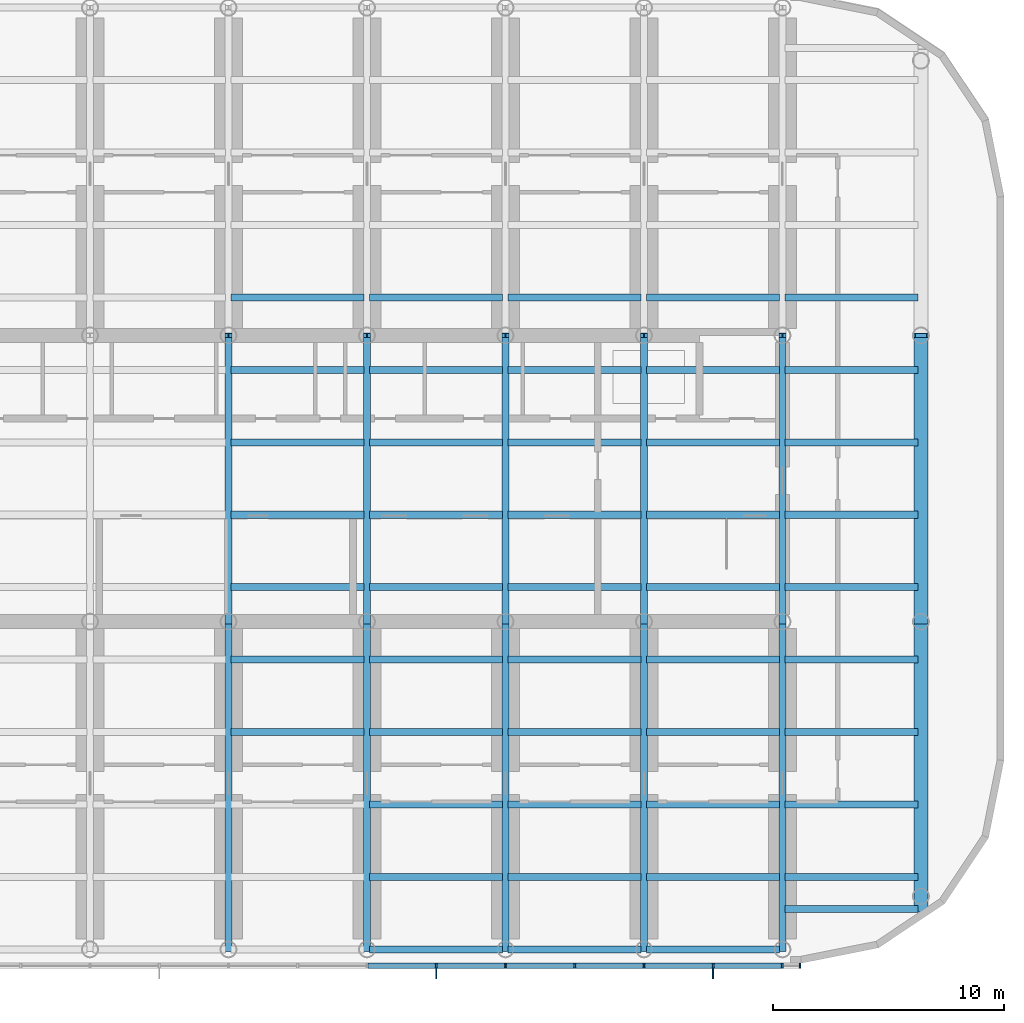
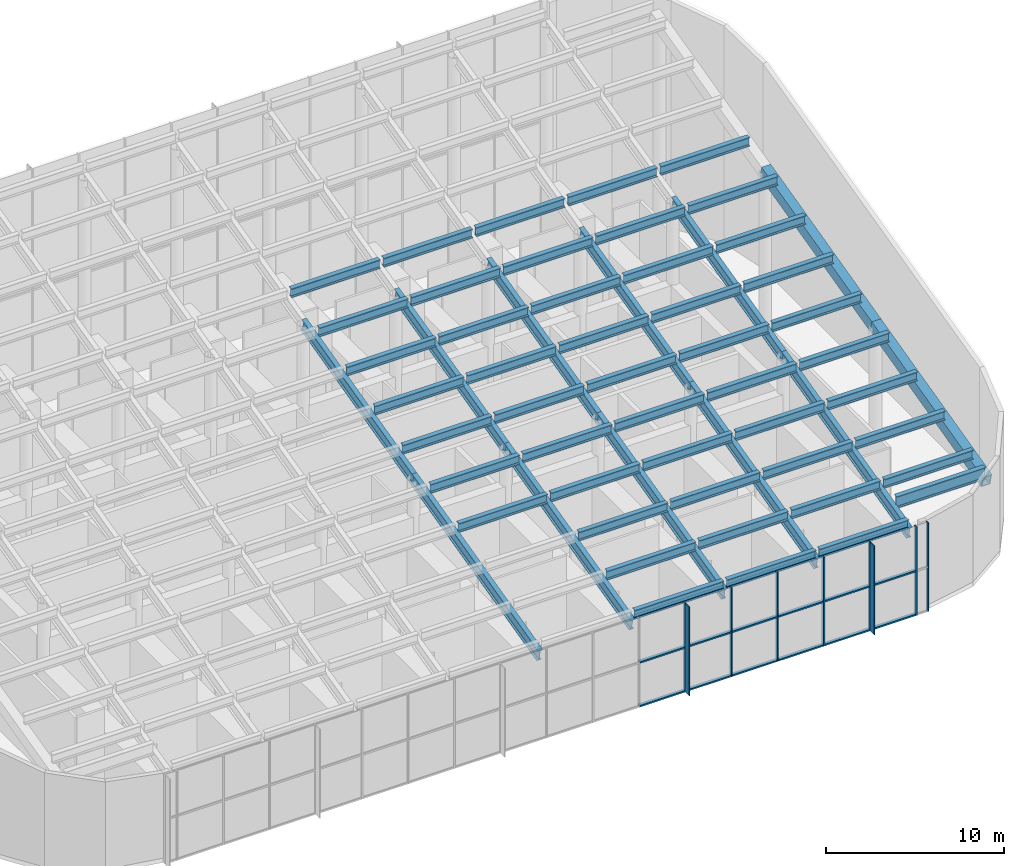
# One storey, part 3 of 14: 80 members, 1 element without a shape of its own.
"""IFC4 building model written with IfcOpenShell, lengths in metres."""

from ifc_helpers import new_model, si_unit, direction, frame, origin, origin_2d, place, context, subcontext, project, spatial, rectangle, hollow_rectangle, i_section, extrude, material, material_profile, profile_set, type_object, element, aggregate, save


model = new_model("IFC4")

# Units and contexts
model_context = context("Model", 3, precision=1e-05, world=origin(), true_north=direction((0.0, 1.0)))
body_context = subcontext(model_context, "Body", "Model", "MODEL_VIEW")
ifc_project = project(units=[si_unit("LENGTHUNIT", "METRE"), si_unit("AREAUNIT", "SQUARE_METRE"), si_unit("VOLUMEUNIT", "CUBIC_METRE"), si_unit("PLANEANGLEUNIT", "RADIAN"), si_unit("MASSUNIT", "GRAM", prefix="KILO")], contexts=[model_context])

# Site, building, storey
site_placement = place(None, origin())
site = spatial("IfcSite", under=ifc_project, at=site_placement, CompositionType="ELEMENT")
building_placement = place(site_placement, origin())
building = spatial("IfcBuilding", under=site, at=building_placement, Name="Orbita Commons", CompositionType="ELEMENT")
storey_placement = place(building_placement, frame((0.0, 0.0, 262.300048828125)))
storey = spatial("IfcBuildingStorey", under=building, at=storey_placement, Name="L65", CompositionType="ELEMENT", Elevation=262.300048828125)

# Members
ifc_material_1 = material(Name="Steel ASTM A572 Gr 50 welded plate", Category="steel")
ifc_material_profile_1 = material_profile(ifc_material_1, hollow_rectangle(XDim=0.60009765625, YDim=0.800048828125, WallThickness=0.06005859375, at=origin_2d()), Name="BOX 800x600x60")
ifc_profile_set_1 = profile_set([ifc_material_profile_1], Name="Steel ASTM A572 Gr 50 welded plate")
member_type_1 = type_object("IfcMemberType", Name="Crown end rafter BOX 800x600x60", PredefinedType="RAFTER", material=ifc_profile_set_1)
member_1_placement = place(storey_placement, frame((72.0, 13.315185546875, 5.31982421875), z_axis=(0.0, 0.970296329372, 0.2419194767), x_axis=(-1.0, 0.0, 0.0)))
element("IfcMember", 1, at=member_1_placement, inside=storey, type_object=member_type_1, Name="Crown rafter line 13 span 1", PredefinedType="RAFTER", context=body_context, shape_type="SweptSolid", body=[
    extrude(hollow_rectangle(XDim=0.60009765625, YDim=0.800048828125, WallThickness=0.06005859375, at=origin_2d()), origin(), (0.0, 0.0, 1.0), 12.866943359375),
])
member_2_placement = place(storey_placement, frame((72.0, 25.800048828125, 8.4326171875), z_axis=(0.0, 0.970292897742, 0.241933239949), x_axis=(-1.0, 0.0, 0.0)))
element("IfcMember", 2, at=member_2_placement, inside=storey, type_object=member_type_1, Name="Crown rafter line 13 span 2", PredefinedType="RAFTER", context=body_context, shape_type="SweptSolid", body=[
    extrude(hollow_rectangle(XDim=0.60009765625, YDim=0.800048828125, WallThickness=0.06005859375, at=origin_2d()), origin(), (0.0, 0.0, 1.0), 12.779541015625),
])
ifc_material_2 = material(Name="Steel ASTM A992", Category="steel")
ifc_material_profile_2 = material_profile(ifc_material_2, i_section(OverallWidth=0.304931640625, OverallDepth=0.6201171875, WebThickness=0.02099609375, FlangeThickness=0.0400390625, FilletRadius=0.027099609375, at=origin_2d()), Name="HEM 600")
ifc_profile_set_2 = profile_set([ifc_material_profile_2], Name="Steel ASTM A992")
member_type_2 = type_object("IfcMemberType", Name="Crown purlin HEM 600", PredefinedType="PURLIN", material=ifc_profile_set_2)
for number, where, z_axis, x_axis, name in (
    (3, (48.1201171875, 11.60009765625, 5.595458984375), (1.0, 0.0, 0.0), (0.0, 1.0, 0.0), "Crown purlin 1 9-10"),
    (4, (54.1201171875, 11.60009765625, 5.595458984375), (1.0, 0.0, 0.0), (0.0, 1.0, 0.0), "Crown purlin 1 10-11"),
    (5, (60.1201171875, 11.60009765625, 5.595458984375), (1.0, 0.0, 0.0), (0.0, 1.0, 0.0), "Crown purlin 1 11-12"),
    (6, (48.1201171875, 14.738525390625, 6.3779296875), (1.0, 0.0, 0.0), (0.0, 1.0, 0.0), "Crown purlin 2 9-10"),
    (7, (54.1201171875, 14.738525390625, 6.3779296875), (1.0, 0.0, 0.0), (0.0, 1.0, 0.0), "Crown purlin 2 10-11"),
    (8, (60.1201171875, 14.738525390625, 6.3779296875), (1.0, 0.0, 0.0), (0.0, 1.0, 0.0), "Crown purlin 2 11-12"),
    (9, (66.1201171875, 14.738525390625, 6.3779296875), (1.0, 0.0, 0.0), (0.0, 1.0, 0.0), "Crown purlin 2 12-13"),
    (10, (48.1201171875, 17.876953125, 7.160400390625), (1.0, 0.0, 0.0), (0.0, 1.0, 0.0), "Crown purlin 3 9-10"),
    (11, (54.1201171875, 17.876953125, 7.160400390625), (1.0, 0.0, 0.0), (0.0, 1.0, 0.0), "Crown purlin 3 10-11"),
    (12, (60.1201171875, 17.876953125, 7.160400390625), (1.0, 0.0, 0.0), (0.0, 1.0, 0.0), "Crown purlin 3 11-12"),
    (13, (66.1201171875, 17.876953125, 7.160400390625), (1.0, 0.0, 0.0), (0.0, 1.0, 0.0), "Crown purlin 3 12-13"),
    (14, (42.1201171875, 21.015380859375, 7.94287109375), (1.0, 0.0, 0.0), (0.0, 1.0, 0.0), "Crown purlin 4 8-9"),
    (15, (48.1201171875, 21.015380859375, 7.94287109375), (1.0, 0.0, 0.0), (0.0, 1.0, 0.0), "Crown purlin 4 9-10"),
    (16, (54.1201171875, 21.015380859375, 7.94287109375), (1.0, 0.0, 0.0), (0.0, 1.0, 0.0), "Crown purlin 4 10-11"),
    (17, (60.1201171875, 21.015380859375, 7.94287109375), (1.0, 0.0, 0.0), (0.0, 1.0, 0.0), "Crown purlin 4 11-12"),
    (18, (66.1201171875, 21.015380859375, 7.94287109375), (1.0, 0.0, 0.0), (0.0, 1.0, 0.0), "Crown purlin 4 12-13"),
    (19, (42.1201171875, 24.15380859375, 8.725341796875), (1.0, 0.0, 0.0), (0.0, 1.0, 0.0), "Crown purlin 5 8-9"),
    (20, (48.1201171875, 24.15380859375, 8.725341796875), (1.0, 0.0, 0.0), (0.0, 1.0, 0.0), "Crown purlin 5 9-10"),
    (21, (54.1201171875, 24.15380859375, 8.725341796875), (1.0, 0.0, 0.0), (0.0, 1.0, 0.0), "Crown purlin 5 10-11"),
    (22, (60.1201171875, 24.15380859375, 8.725341796875), (1.0, 0.0, 0.0), (0.0, 1.0, 0.0), "Crown purlin 5 11-12"),
    (23, (66.1201171875, 24.15380859375, 8.725341796875), (1.0, 0.0, 0.0), (0.0, 1.0, 0.0), "Crown purlin 5 12-13"),
    (24, (42.1201171875, 27.292236328125, 9.5078125), (1.0, 0.0, 0.0), (0.0, 1.0, 0.0), "Crown purlin 6 8-9"),
    (25, (48.1201171875, 27.292236328125, 9.5078125), (1.0, 0.0, 0.0), (0.0, 1.0, 0.0), "Crown purlin 6 9-10"),
    (26, (54.1201171875, 27.292236328125, 9.5078125), (1.0, 0.0, 0.0), (0.0, 1.0, 0.0), "Crown purlin 6 10-11"),
    (27, (60.1201171875, 27.292236328125, 9.5078125), (1.0, 0.0, 0.0), (0.0, 1.0, 0.0), "Crown purlin 6 11-12"),
    (28, (66.1201171875, 27.292236328125, 9.5078125), (1.0, 0.0, 0.0), (0.0, 1.0, 0.0), "Crown purlin 6 12-13"),
    (29, (42.1201171875, 30.4306640625, 10.29052734375), (1.0, 0.0, 0.0), (0.0, 1.0, 0.0), "Crown purlin 7 8-9"),
    (30, (48.1201171875, 30.4306640625, 10.29052734375), (1.0, 0.0, 0.0), (0.0, 1.0, 0.0), "Crown purlin 7 9-10"),
    (31, (54.1201171875, 30.4306640625, 10.29052734375), (1.0, 0.0, 0.0), (0.0, 1.0, 0.0), "Crown purlin 7 10-11"),
    (32, (60.1201171875, 30.4306640625, 10.29052734375), (1.0, 0.0, 0.0), (0.0, 1.0, 0.0), "Crown purlin 7 11-12"),
    (33, (66.1201171875, 30.4306640625, 10.29052734375), (1.0, 0.0, 0.0), (0.0, 1.0, 0.0), "Crown purlin 7 12-13"),
    (34, (42.1201171875, 33.5693359375, 11.072998046875), (1.0, 0.0, 0.0), (0.0, 1.0, 0.0), "Crown purlin 8 8-9"),
    (35, (48.1201171875, 33.5693359375, 11.072998046875), (1.0, 0.0, 0.0), (0.0, 1.0, 0.0), "Crown purlin 8 9-10"),
    (36, (54.1201171875, 33.5693359375, 11.072998046875), (1.0, 0.0, 0.0), (0.0, 1.0, 0.0), "Crown purlin 8 10-11"),
    (37, (60.1201171875, 33.5693359375, 11.072998046875), (1.0, 0.0, 0.0), (0.0, 1.0, 0.0), "Crown purlin 8 11-12"),
    (38, (66.1201171875, 33.5693359375, 11.072998046875), (1.0, 0.0, 0.0), (0.0, 1.0, 0.0), "Crown purlin 8 12-13"),
    (39, (42.1201171875, 36.707763671875, 11.85546875), (1.0, 0.0, 0.0), (0.0, 1.0, 0.0), "Crown purlin 9 8-9"),
    (40, (48.1201171875, 36.707763671875, 11.85546875), (1.0, 0.0, 0.0), (0.0, 1.0, 0.0), "Crown purlin 9 9-10"),
    (41, (54.1201171875, 36.707763671875, 11.85546875), (1.0, 0.0, 0.0), (0.0, 1.0, 0.0), "Crown purlin 9 10-11"),
    (42, (60.1201171875, 36.707763671875, 11.85546875), (1.0, 0.0, 0.0), (0.0, 1.0, 0.0), "Crown purlin 9 11-12"),
    (43, (66.1201171875, 36.707763671875, 11.85546875), (1.0, 0.0, 0.0), (0.0, 1.0, 0.0), "Crown purlin 9 12-13"),
    (44, (42.1201171875, 39.84619140625, 12.637939453125), (1.0, 0.0, 0.0), (0.0, 1.0, 0.0), "Crown purlin 10 8-9"),
    (45, (48.1201171875, 39.84619140625, 12.637939453125), (1.0, 0.0, 0.0), (0.0, 1.0, 0.0), "Crown purlin 10 9-10"),
    (46, (54.1201171875, 39.84619140625, 12.637939453125), (1.0, 0.0, 0.0), (0.0, 1.0, 0.0), "Crown purlin 10 10-11"),
    (47, (60.1201171875, 39.84619140625, 12.637939453125), (1.0, 0.0, 0.0), (0.0, 1.0, 0.0), "Crown purlin 10 11-12"),
    (48, (66.1201171875, 39.84619140625, 12.637939453125), (1.0, 0.0, 0.0), (0.0, 1.0, 0.0), "Crown purlin 10 12-13"),
):
    element("IfcMember", number, at=place(storey_placement, frame(where, z_axis=z_axis, x_axis=x_axis)), inside=storey, type_object=member_type_2, Name=name, PredefinedType="PURLIN", context=body_context, shape_type="SweptSolid", body=[
        extrude(i_section(OverallWidth=0.304931640625, OverallDepth=0.6201171875, WebThickness=0.02099609375, FlangeThickness=0.0400390625, FilletRadius=0.027099609375, at=origin_2d()), origin(), (0.0, 0.0, 1.0), 5.759765625),
    ])
ifc_material_3 = material(Name="Steel ASTM A992", Category="steel")
ifc_material_profile_3 = material_profile(ifc_material_3, i_section(OverallWidth=0.302978515625, OverallDepth=0.81396484375, WebThickness=0.02099609375, FlangeThickness=0.0400390625, FilletRadius=0.030029296875, at=origin_2d()), Name="HEM 800")
ifc_profile_set_3 = profile_set([ifc_material_profile_3], Name="Steel ASTM A992")
member_type_3 = type_object("IfcMemberType", Name="Crown purlin HEM 800", PredefinedType="PURLIN", material=ifc_profile_set_3)
member_3_placement = place(storey_placement, frame((66.1201171875, 13.35009765625, 5.93505859375), z_axis=(1.0, 0.0, 0.0), x_axis=(0.0, 1.0, 0.0)))
element("IfcMember", 49, at=member_3_placement, inside=storey, type_object=member_type_3, Name="Crown purlin 1 12-13", PredefinedType="PURLIN", context=body_context, shape_type="SweptSolid", body=[
    extrude(i_section(OverallWidth=0.302978515625, OverallDepth=0.81396484375, WebThickness=0.02099609375, FlangeThickness=0.0400390625, FilletRadius=0.030029296875, at=origin_2d()), origin(), (0.0, 0.0, 1.0), 5.759765625),
])
ifc_material_4 = material(Name="Steel ASTM A992", Category="steel")
ifc_material_profile_4 = material_profile(ifc_material_4, i_section(OverallWidth=0.302978515625, OverallDepth=0.81396484375, WebThickness=0.02099609375, FlangeThickness=0.0400390625, FilletRadius=0.030029296875, at=origin_2d()), Name="HEM 800")
ifc_profile_set_4 = profile_set([ifc_material_profile_4], Name="Steel ASTM A992")
member_type_4 = type_object("IfcMemberType", Name="Crown rafter HEM 800", PredefinedType="RAFTER", material=ifc_profile_set_4)
member_4_placement = place(storey_placement, frame((42.0, 11.60009765625, 4.885009765625), z_axis=(0.0, 0.97029441297, 0.24192716292), x_axis=(-1.0, 0.0, 0.0)))
element("IfcMember", 50, at=member_4_placement, inside=storey, type_object=member_type_4, Name="Crown rafter line 8 span 1", PredefinedType="RAFTER", context=body_context, shape_type="SweptSolid", body=[
    extrude(i_section(OverallWidth=0.302978515625, OverallDepth=0.81396484375, WebThickness=0.02099609375, FlangeThickness=0.0400390625, FilletRadius=0.030029296875, at=origin_2d()), origin(), (0.0, 0.0, 1.0), 14.634765625),
])
member_5_placement = place(storey_placement, frame((42.0, 25.800048828125, 8.425537109375), z_axis=(0.0, 0.970297382189, 0.241915254), x_axis=(-1.0, 0.0, 0.0)))
element("IfcMember", 51, at=member_5_placement, inside=storey, type_object=member_type_4, Name="Crown rafter line 8 span 2", PredefinedType="RAFTER", context=body_context, shape_type="SweptSolid", body=[
    extrude(i_section(OverallWidth=0.302978515625, OverallDepth=0.81396484375, WebThickness=0.02099609375, FlangeThickness=0.0400390625, FilletRadius=0.030029296875, at=origin_2d()), origin(), (0.0, 0.0, 1.0), 12.779541015625),
])
member_6_placement = place(storey_placement, frame((48.0, 11.60009765625, 4.885009765625), z_axis=(0.0, 0.97029441297, 0.24192716292), x_axis=(-1.0, 0.0, 0.0)))
element("IfcMember", 52, at=member_6_placement, inside=storey, type_object=member_type_4, Name="Crown rafter line 9 span 1", PredefinedType="RAFTER", context=body_context, shape_type="SweptSolid", body=[
    extrude(i_section(OverallWidth=0.302978515625, OverallDepth=0.81396484375, WebThickness=0.02099609375, FlangeThickness=0.0400390625, FilletRadius=0.030029296875, at=origin_2d()), origin(), (0.0, 0.0, 1.0), 14.634765625),
])
member_7_placement = place(storey_placement, frame((48.0, 25.800048828125, 8.425537109375), z_axis=(0.0, 0.970297382189, 0.241915254), x_axis=(-1.0, 0.0, 0.0)))
element("IfcMember", 53, at=member_7_placement, inside=storey, type_object=member_type_4, Name="Crown rafter line 9 span 2", PredefinedType="RAFTER", context=body_context, shape_type="SweptSolid", body=[
    extrude(i_section(OverallWidth=0.302978515625, OverallDepth=0.81396484375, WebThickness=0.02099609375, FlangeThickness=0.0400390625, FilletRadius=0.030029296875, at=origin_2d()), origin(), (0.0, 0.0, 1.0), 12.779541015625),
])
member_8_placement = place(storey_placement, frame((54.0, 11.60009765625, 4.885009765625), z_axis=(0.0, 0.97029441297, 0.24192716292), x_axis=(-1.0, 0.0, 0.0)))
element("IfcMember", 54, at=member_8_placement, inside=storey, type_object=member_type_4, Name="Crown rafter line 10 span 1", PredefinedType="RAFTER", context=body_context, shape_type="SweptSolid", body=[
    extrude(i_section(OverallWidth=0.302978515625, OverallDepth=0.81396484375, WebThickness=0.02099609375, FlangeThickness=0.0400390625, FilletRadius=0.030029296875, at=origin_2d()), origin(), (0.0, 0.0, 1.0), 14.634765625),
])
member_9_placement = place(storey_placement, frame((54.0, 25.800048828125, 8.425537109375), z_axis=(0.0, 0.970297382189, 0.241915254), x_axis=(-1.0, 0.0, 0.0)))
element("IfcMember", 55, at=member_9_placement, inside=storey, type_object=member_type_4, Name="Crown rafter line 10 span 2", PredefinedType="RAFTER", context=body_context, shape_type="SweptSolid", body=[
    extrude(i_section(OverallWidth=0.302978515625, OverallDepth=0.81396484375, WebThickness=0.02099609375, FlangeThickness=0.0400390625, FilletRadius=0.030029296875, at=origin_2d()), origin(), (0.0, 0.0, 1.0), 12.779541015625),
])
member_10_placement = place(storey_placement, frame((60.0, 11.60009765625, 4.885009765625), z_axis=(0.0, 0.97029441297, 0.24192716292), x_axis=(-1.0, 0.0, 0.0)))
element("IfcMember", 56, at=member_10_placement, inside=storey, type_object=member_type_4, Name="Crown rafter line 11 span 1", PredefinedType="RAFTER", context=body_context, shape_type="SweptSolid", body=[
    extrude(i_section(OverallWidth=0.302978515625, OverallDepth=0.81396484375, WebThickness=0.02099609375, FlangeThickness=0.0400390625, FilletRadius=0.030029296875, at=origin_2d()), origin(), (0.0, 0.0, 1.0), 14.634765625),
])
member_11_placement = place(storey_placement, frame((60.0, 25.800048828125, 8.425537109375), z_axis=(0.0, 0.970297382189, 0.241915254), x_axis=(-1.0, 0.0, 0.0)))
element("IfcMember", 57, at=member_11_placement, inside=storey, type_object=member_type_4, Name="Crown rafter line 11 span 2", PredefinedType="RAFTER", context=body_context, shape_type="SweptSolid", body=[
    extrude(i_section(OverallWidth=0.302978515625, OverallDepth=0.81396484375, WebThickness=0.02099609375, FlangeThickness=0.0400390625, FilletRadius=0.030029296875, at=origin_2d()), origin(), (0.0, 0.0, 1.0), 12.779541015625),
])
member_12_placement = place(storey_placement, frame((66.0, 11.60009765625, 4.885009765625), z_axis=(0.0, 0.97029441297, 0.24192716292), x_axis=(-1.0, 0.0, 0.0)))
element("IfcMember", 58, at=member_12_placement, inside=storey, type_object=member_type_4, Name="Crown rafter line 12 span 1", PredefinedType="RAFTER", context=body_context, shape_type="SweptSolid", body=[
    extrude(i_section(OverallWidth=0.302978515625, OverallDepth=0.81396484375, WebThickness=0.02099609375, FlangeThickness=0.0400390625, FilletRadius=0.030029296875, at=origin_2d()), origin(), (0.0, 0.0, 1.0), 14.634765625),
])
member_13_placement = place(storey_placement, frame((66.0, 25.800048828125, 8.425537109375), z_axis=(0.0, 0.970297382189, 0.241915254), x_axis=(-1.0, 0.0, 0.0)))
element("IfcMember", 59, at=member_13_placement, inside=storey, type_object=member_type_4, Name="Crown rafter line 12 span 2", PredefinedType="RAFTER", context=body_context, shape_type="SweptSolid", body=[
    extrude(i_section(OverallWidth=0.302978515625, OverallDepth=0.81396484375, WebThickness=0.02099609375, FlangeThickness=0.0400390625, FilletRadius=0.030029296875, at=origin_2d()), origin(), (0.0, 0.0, 1.0), 12.779541015625),
])

# Curtain wall, members
ifc_material_5 = material(Name="Anodised aluminium frame, pale silver", Category="aluminium")
curtain_wall_type = type_object("IfcCurtainWallType", Name="Crown curtain wall CW-C", PredefinedType="NOTDEFINED", material=ifc_material_5)
curtain_wall_placement = place(storey_placement, origin())
curtain_wall = element("IfcCurtainWall", 60, at=curtain_wall_placement, inside=storey, type_object=curtain_wall_type, Name="Curtain wall south L65", PredefinedType="NOTDEFINED")
ifc_material_6 = material(Name="Anodised aluminium, pale silver", Category="aluminium")
ifc_material_profile_5 = material_profile(ifc_material_6, rectangle(XDim=0.080078125, YDim=0.219970703125, at=origin_2d()), Name="AL 80x220")
ifc_profile_set_5 = profile_set([ifc_material_profile_5], Name="Anodised aluminium, pale silver")
member_type_5 = type_object("IfcMemberType", Name="Curtain wall mullion 80x220", PredefinedType="MULLION", material=ifc_profile_set_5)
member_14_placement = place(storey_placement, frame((51.0, 10.889892578125, -0.300048828125), z_axis=(0.0, 0.0, 1.0), x_axis=(1.0, 0.0, 0.0)))
member_14 = element("IfcMember", 61, at=member_14_placement, type_object=member_type_5, Name="Mullion 13 CW-L65-S", PredefinedType="MULLION", context=body_context, shape_type="SweptSolid", body=[
    extrude(rectangle(XDim=0.080078125, YDim=0.219970703125, at=origin_2d()), origin(), (0.0, 0.0, 1.0), 6.10009765625),
])
member_15_placement = place(storey_placement, frame((54.0, 10.889892578125, -0.300048828125), z_axis=(0.0, 0.0, 1.0), x_axis=(1.0, 0.0, 0.0)))
member_15 = element("IfcMember", 62, at=member_15_placement, type_object=member_type_5, Name="Mullion 14 CW-L65-S", PredefinedType="MULLION", context=body_context, shape_type="SweptSolid", body=[
    extrude(rectangle(XDim=0.080078125, YDim=0.219970703125, at=origin_2d()), origin(), (0.0, 0.0, 1.0), 6.10009765625),
])
member_16_placement = place(storey_placement, frame((57.0, 10.889892578125, -0.300048828125), z_axis=(0.0, 0.0, 1.0), x_axis=(1.0, 0.0, 0.0)))
member_16 = element("IfcMember", 63, at=member_16_placement, type_object=member_type_5, Name="Mullion 15 CW-L65-S", PredefinedType="MULLION", context=body_context, shape_type="SweptSolid", body=[
    extrude(rectangle(XDim=0.080078125, YDim=0.219970703125, at=origin_2d()), origin(), (0.0, 0.0, 1.0), 6.10009765625),
])
member_17_placement = place(storey_placement, frame((60.0, 10.889892578125, -0.300048828125), z_axis=(0.0, 0.0, 1.0), x_axis=(1.0, 0.0, 0.0)))
member_17 = element("IfcMember", 64, at=member_17_placement, type_object=member_type_5, Name="Mullion 16 CW-L65-S", PredefinedType="MULLION", context=body_context, shape_type="SweptSolid", body=[
    extrude(rectangle(XDim=0.080078125, YDim=0.219970703125, at=origin_2d()), origin(), (0.0, 0.0, 1.0), 6.10009765625),
])
member_18_placement = place(storey_placement, frame((63.0, 10.889892578125, -0.300048828125), z_axis=(0.0, 0.0, 1.0), x_axis=(1.0, 0.0, 0.0)))
member_18 = element("IfcMember", 65, at=member_18_placement, type_object=member_type_5, Name="Mullion 17 CW-L65-S", PredefinedType="MULLION", context=body_context, shape_type="SweptSolid", body=[
    extrude(rectangle(XDim=0.080078125, YDim=0.219970703125, at=origin_2d()), origin(), (0.0, 0.0, 1.0), 6.10009765625),
])
member_19_placement = place(storey_placement, frame((66.0, 10.889892578125, -0.300048828125), z_axis=(0.0, 0.0, 1.0), x_axis=(1.0, 0.0, 0.0)))
member_19 = element("IfcMember", 66, at=member_19_placement, type_object=member_type_5, Name="Mullion 18 CW-L65-S", PredefinedType="MULLION", context=body_context, shape_type="SweptSolid", body=[
    extrude(rectangle(XDim=0.080078125, YDim=0.219970703125, at=origin_2d()), origin(), (0.0, 0.0, 1.0), 6.10009765625),
])
member_20_placement = place(storey_placement, frame((66.760009765625, 10.889892578125, -0.300048828125), z_axis=(0.0, 0.0, 1.0), x_axis=(1.0, 0.0, 0.0)))
member_20 = element("IfcMember", 67, at=member_20_placement, type_object=member_type_5, Name="Mullion 19 CW-L65-S", PredefinedType="MULLION", context=body_context, shape_type="SweptSolid", body=[
    extrude(rectangle(XDim=0.080078125, YDim=0.219970703125, at=origin_2d()), origin(), (0.0, 0.0, 1.0), 6.10009765625),
])
ifc_material_7 = material(Name="Anodised aluminium, pale silver", Category="aluminium")
ifc_material_profile_6 = material_profile(ifc_material_7, rectangle(XDim=0.219970703125, YDim=0.10009765625, at=origin_2d()), Name="AL 220x100")
ifc_profile_set_6 = profile_set([ifc_material_profile_6], Name="Anodised aluminium, pale silver")
member_type_6 = type_object("IfcMemberType", Name="Curtain wall stack transom 220x100", PredefinedType="USERDEFINED", material=ifc_profile_set_6)
member_21_placement = place(storey_placement, frame((48.0400390625, 10.889892578125, -0.25), z_axis=(1.0, 0.0, 0.0), x_axis=(0.0, 1.0, 0.0)))
member_21 = element("IfcMember", 68, at=member_21_placement, type_object=member_type_6, Name="Transom 12.1 CW-L65-S", ObjectType="TRANSOM", PredefinedType="USERDEFINED", context=body_context, shape_type="SweptSolid", body=[
    extrude(rectangle(XDim=0.219970703125, YDim=0.10009765625, at=origin_2d()), origin(), (0.0, 0.0, 1.0), 2.919921875),
])
member_22_placement = place(storey_placement, frame((48.0400390625, 10.889892578125, 2.75), z_axis=(1.0, 0.0, 0.0), x_axis=(0.0, 1.0, 0.0)))
member_22 = element("IfcMember", 69, at=member_22_placement, type_object=member_type_6, Name="Transom 12.2 CW-L65-S", ObjectType="TRANSOM", PredefinedType="USERDEFINED", context=body_context, shape_type="SweptSolid", body=[
    extrude(rectangle(XDim=0.219970703125, YDim=0.10009765625, at=origin_2d()), origin(), (0.0, 0.0, 1.0), 2.919921875),
])
member_23_placement = place(storey_placement, frame((51.0400390625, 10.889892578125, -0.25), z_axis=(1.0, 0.0, 0.0), x_axis=(0.0, 1.0, 0.0)))
member_23 = element("IfcMember", 70, at=member_23_placement, type_object=member_type_6, Name="Transom 13.1 CW-L65-S", ObjectType="TRANSOM", PredefinedType="USERDEFINED", context=body_context, shape_type="SweptSolid", body=[
    extrude(rectangle(XDim=0.219970703125, YDim=0.10009765625, at=origin_2d()), origin(), (0.0, 0.0, 1.0), 2.919921875),
])
member_24_placement = place(storey_placement, frame((51.0400390625, 10.889892578125, 2.75), z_axis=(1.0, 0.0, 0.0), x_axis=(0.0, 1.0, 0.0)))
member_24 = element("IfcMember", 71, at=member_24_placement, type_object=member_type_6, Name="Transom 13.2 CW-L65-S", ObjectType="TRANSOM", PredefinedType="USERDEFINED", context=body_context, shape_type="SweptSolid", body=[
    extrude(rectangle(XDim=0.219970703125, YDim=0.10009765625, at=origin_2d()), origin(), (0.0, 0.0, 1.0), 2.919921875),
])
member_25_placement = place(storey_placement, frame((54.0400390625, 10.889892578125, -0.25), z_axis=(1.0, 0.0, 0.0), x_axis=(0.0, 1.0, 0.0)))
member_25 = element("IfcMember", 72, at=member_25_placement, type_object=member_type_6, Name="Transom 14.1 CW-L65-S", ObjectType="TRANSOM", PredefinedType="USERDEFINED", context=body_context, shape_type="SweptSolid", body=[
    extrude(rectangle(XDim=0.219970703125, YDim=0.10009765625, at=origin_2d()), origin(), (0.0, 0.0, 1.0), 2.919921875),
])
member_26_placement = place(storey_placement, frame((54.0400390625, 10.889892578125, 2.75), z_axis=(1.0, 0.0, 0.0), x_axis=(0.0, 1.0, 0.0)))
member_26 = element("IfcMember", 73, at=member_26_placement, type_object=member_type_6, Name="Transom 14.2 CW-L65-S", ObjectType="TRANSOM", PredefinedType="USERDEFINED", context=body_context, shape_type="SweptSolid", body=[
    extrude(rectangle(XDim=0.219970703125, YDim=0.10009765625, at=origin_2d()), origin(), (0.0, 0.0, 1.0), 2.919921875),
])
member_27_placement = place(storey_placement, frame((57.0400390625, 10.889892578125, -0.25), z_axis=(1.0, 0.0, 0.0), x_axis=(0.0, 1.0, 0.0)))
member_27 = element("IfcMember", 74, at=member_27_placement, type_object=member_type_6, Name="Transom 15.1 CW-L65-S", ObjectType="TRANSOM", PredefinedType="USERDEFINED", context=body_context, shape_type="SweptSolid", body=[
    extrude(rectangle(XDim=0.219970703125, YDim=0.10009765625, at=origin_2d()), origin(), (0.0, 0.0, 1.0), 2.919921875),
])
member_28_placement = place(storey_placement, frame((57.0400390625, 10.889892578125, 2.75), z_axis=(1.0, 0.0, 0.0), x_axis=(0.0, 1.0, 0.0)))
member_28 = element("IfcMember", 75, at=member_28_placement, type_object=member_type_6, Name="Transom 15.2 CW-L65-S", ObjectType="TRANSOM", PredefinedType="USERDEFINED", context=body_context, shape_type="SweptSolid", body=[
    extrude(rectangle(XDim=0.219970703125, YDim=0.10009765625, at=origin_2d()), origin(), (0.0, 0.0, 1.0), 2.919921875),
])
member_29_placement = place(storey_placement, frame((60.0400390625, 10.889892578125, -0.25), z_axis=(1.0, 0.0, 0.0), x_axis=(0.0, 1.0, 0.0)))
member_29 = element("IfcMember", 76, at=member_29_placement, type_object=member_type_6, Name="Transom 16.1 CW-L65-S", ObjectType="TRANSOM", PredefinedType="USERDEFINED", context=body_context, shape_type="SweptSolid", body=[
    extrude(rectangle(XDim=0.219970703125, YDim=0.10009765625, at=origin_2d()), origin(), (0.0, 0.0, 1.0), 2.919921875),
])
member_30_placement = place(storey_placement, frame((60.0400390625, 10.889892578125, 2.75), z_axis=(1.0, 0.0, 0.0), x_axis=(0.0, 1.0, 0.0)))
member_30 = element("IfcMember", 77, at=member_30_placement, type_object=member_type_6, Name="Transom 16.2 CW-L65-S", ObjectType="TRANSOM", PredefinedType="USERDEFINED", context=body_context, shape_type="SweptSolid", body=[
    extrude(rectangle(XDim=0.219970703125, YDim=0.10009765625, at=origin_2d()), origin(), (0.0, 0.0, 1.0), 2.919921875),
])
member_31_placement = place(storey_placement, frame((63.0400390625, 10.889892578125, -0.25), z_axis=(1.0, 0.0, 0.0), x_axis=(0.0, 1.0, 0.0)))
member_31 = element("IfcMember", 78, at=member_31_placement, type_object=member_type_6, Name="Transom 17.1 CW-L65-S", ObjectType="TRANSOM", PredefinedType="USERDEFINED", context=body_context, shape_type="SweptSolid", body=[
    extrude(rectangle(XDim=0.219970703125, YDim=0.10009765625, at=origin_2d()), origin(), (0.0, 0.0, 1.0), 2.919921875),
])
member_32_placement = place(storey_placement, frame((63.0400390625, 10.889892578125, 2.75), z_axis=(1.0, 0.0, 0.0), x_axis=(0.0, 1.0, 0.0)))
member_32 = element("IfcMember", 79, at=member_32_placement, type_object=member_type_6, Name="Transom 17.2 CW-L65-S", ObjectType="TRANSOM", PredefinedType="USERDEFINED", context=body_context, shape_type="SweptSolid", body=[
    extrude(rectangle(XDim=0.219970703125, YDim=0.10009765625, at=origin_2d()), origin(), (0.0, 0.0, 1.0), 2.919921875),
])
ifc_material_8 = material(Name="Anodised aluminium, pale silver", Category="aluminium")
ifc_material_profile_7 = material_profile(ifc_material_8, rectangle(XDim=0.06005859375, YDim=0.449951171875, at=origin_2d()), Name="FIN 60x450")
ifc_profile_set_7 = profile_set([ifc_material_profile_7], Name="Anodised aluminium, pale silver")
member_type_7 = type_object("IfcMemberType", Name="Vertical fin 60x450 pale aluminium", PredefinedType="USERDEFINED", material=ifc_profile_set_7)
member_33_placement = place(storey_placement, frame((51.0, 10.554931640625, -0.300048828125), z_axis=(0.0, 0.0, 1.0), x_axis=(1.0, 0.0, 0.0)))
member_33 = element("IfcMember", 80, at=member_33_placement, type_object=member_type_7, Name="Fin 13 CW-L65-S", ObjectType="FIN", PredefinedType="USERDEFINED", context=body_context, shape_type="SweptSolid", body=[
    extrude(rectangle(XDim=0.06005859375, YDim=0.449951171875, at=origin_2d()), origin(), (0.0, 0.0, 1.0), 6.10009765625),
])
member_34_placement = place(storey_placement, frame((63.0, 10.554931640625, -0.300048828125), z_axis=(0.0, 0.0, 1.0), x_axis=(1.0, 0.0, 0.0)))
member_34 = element("IfcMember", 81, at=member_34_placement, type_object=member_type_7, Name="Fin 17 CW-L65-S", ObjectType="FIN", PredefinedType="USERDEFINED", context=body_context, shape_type="SweptSolid", body=[
    extrude(rectangle(XDim=0.06005859375, YDim=0.449951171875, at=origin_2d()), origin(), (0.0, 0.0, 1.0), 6.10009765625),
])
aggregate(curtain_wall, [member_14, member_33, member_15, member_16, member_17, member_18, member_34, member_19, member_20, member_21, member_22, member_23, member_24, member_25, member_26, member_27, member_28, member_29, member_30, member_31, member_32])

save(model, "model.ifc")
